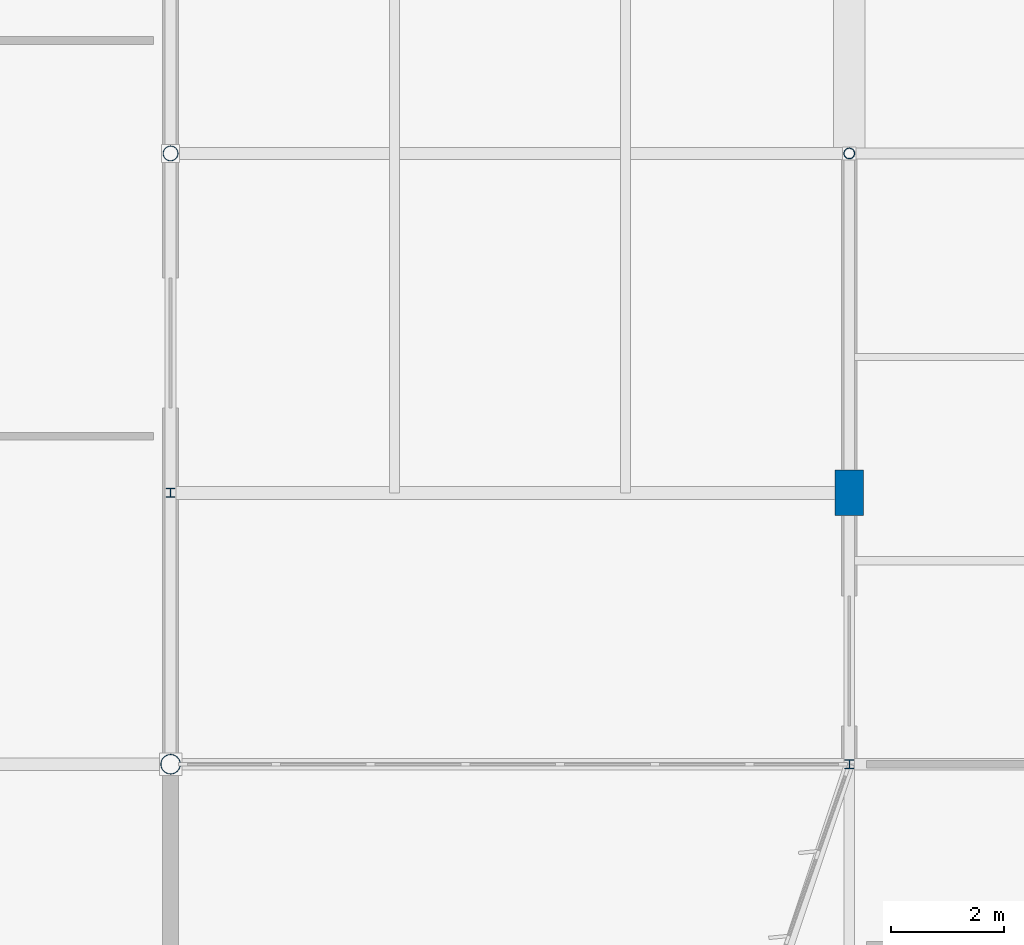
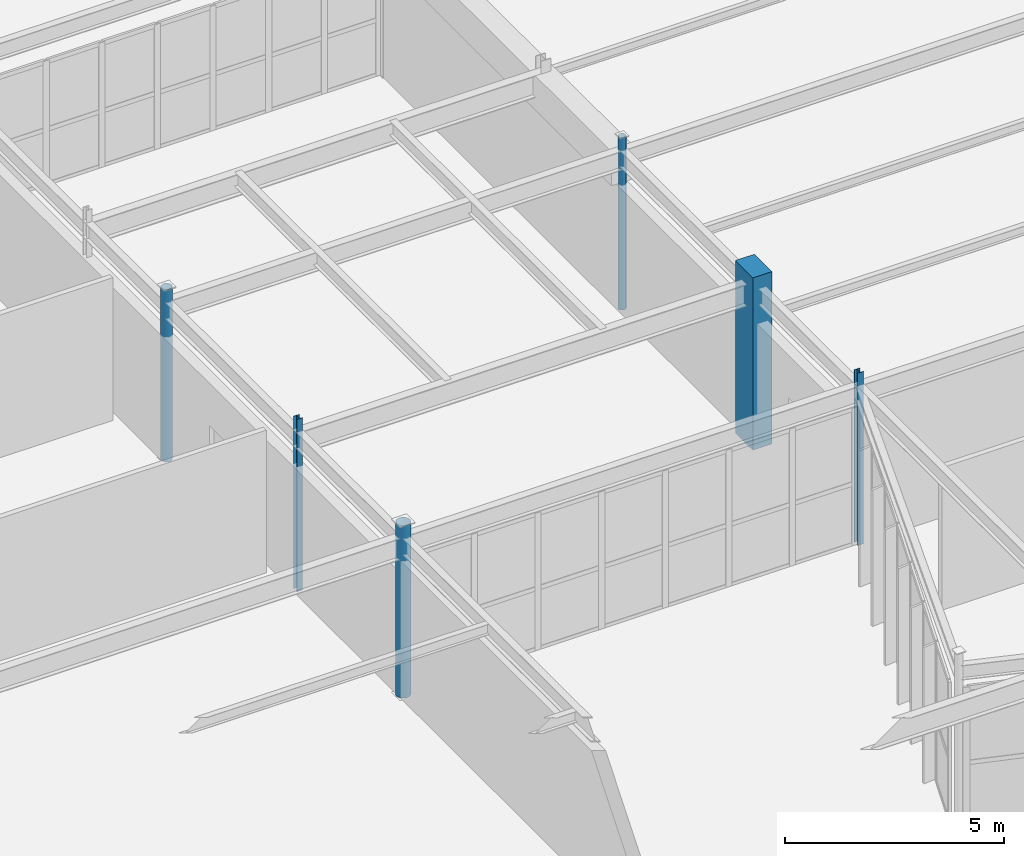
# One storey, part 55 of 199: 6 columns.
"""IFC4 building model written with IfcOpenShell, lengths in metres."""

from ifc_helpers import new_model, si_unit, direction, frame, origin, origin_2d, place, context, subcontext, project, spatial, rectangle, hollow_circle, i_section, extrude, material, material_profile, profile_set, type_object, element, save


model = new_model("IFC4")

# Units and contexts
model_context = context("Model", 3, precision=1e-05, world=origin(), true_north=direction((0.0, 1.0)))
body_context = subcontext(model_context, "Body", "Model", "MODEL_VIEW")
ifc_project = project(units=[si_unit("LENGTHUNIT", "METRE"), si_unit("AREAUNIT", "SQUARE_METRE"), si_unit("VOLUMEUNIT", "CUBIC_METRE"), si_unit("PLANEANGLEUNIT", "RADIAN"), si_unit("MASSUNIT", "GRAM", prefix="KILO")], contexts=[model_context])

# Site, building, storey
site_placement = place(None, origin())
site = spatial("IfcSite", under=ifc_project, at=site_placement, CompositionType="ELEMENT")
building_placement = place(site_placement, origin())
building = spatial("IfcBuilding", under=site, at=building_placement, Name="Tarnwether General Hospital", CompositionType="ELEMENT")
storey_placement = place(building_placement, origin())
storey = spatial("IfcBuildingStorey", under=building, at=storey_placement, Name="L00", CompositionType="ELEMENT", Elevation=0.0)

# Columns
ifc_material_1 = material(Name="Steel Grade C350L0 (350 MPa)", Category="steel")
ifc_material_profile_1 = material_profile(ifc_material_1, hollow_circle(Radius=0.177734375, WallThickness=0.0126953125, at=origin_2d()), Name="CHS355.6x12.7")
ifc_profile_set_1 = profile_set([ifc_material_profile_1], Name="Steel Grade C350L0 (350 MPa)")
column_type_1 = type_object("IfcColumnType", Name="COL-11", PredefinedType="COLUMN", material=ifc_profile_set_1)
column_1_placement = place(storey_placement, frame((132.0, 93.60009765625, 0.0), z_axis=(0.0, 0.0, 1.0), x_axis=(0.0, 1.0, 0.0)))
element("IfcColumn", 1, at=column_1_placement, inside=storey, type_object=column_type_1, Name="Column COLG-L00-13200_9360", PredefinedType="COLUMN", context=body_context, shape_type="SweptSolid", body=[
    extrude(hollow_circle(Radius=0.177734375, WallThickness=0.0126953125, at=origin_2d()), origin(), (0.0, 0.0, 1.0), 4.800048828125),
])
ifc_material_2 = material(Name="Steel Grade C350L0 (350 MPa)", Category="steel")
ifc_material_profile_2 = material_profile(ifc_material_2, hollow_circle(Radius=0.136474609375, WallThickness=0.0126953125, at=origin_2d()), Name="CHS273.1x12.7")
ifc_profile_set_2 = profile_set([ifc_material_profile_2], Name="Steel Grade C350L0 (350 MPa)")
column_type_2 = type_object("IfcColumnType", Name="COL-12", PredefinedType="COLUMN", material=ifc_profile_set_2)
column_2_placement = place(storey_placement, frame((132.0, 104.39990234375, 0.0), z_axis=(0.0, 0.0, 1.0), x_axis=(0.0, 1.0, 0.0)))
element("IfcColumn", 2, at=column_2_placement, inside=storey, type_object=column_type_2, Name="Column COLG-L00-13200_10440", PredefinedType="COLUMN", context=body_context, shape_type="SweptSolid", body=[
    extrude(hollow_circle(Radius=0.136474609375, WallThickness=0.0126953125, at=origin_2d()), origin(), (0.0, 0.0, 1.0), 4.800048828125),
])
ifc_material_3 = material(Name="Concrete 50 MPa", Category="concrete")
ifc_material_profile_3 = material_profile(ifc_material_3, rectangle(XDim=0.5, YDim=0.800048828125, at=origin_2d()), Name="RC-PIL-500x800")
ifc_profile_set_3 = profile_set([ifc_material_profile_3], Name="Concrete 50 MPa")
column_type_3 = type_object("IfcColumnType", Name="COL-23", PredefinedType="PILASTER", material=ifc_profile_set_3)
column_3_placement = place(storey_placement, frame((144.0, 98.39990234375, 0.0), z_axis=(0.0, 0.0, 1.0), x_axis=(1.0, 0.0, 0.0)))
element("IfcColumn", 3, at=column_3_placement, inside=storey, type_object=column_type_3, Name="Column COLG-L00-14400_9840", PredefinedType="PILASTER", context=body_context, shape_type="SweptSolid", body=[
    extrude(rectangle(XDim=0.5, YDim=0.800048828125, at=origin_2d()), origin(), (0.0, 0.0, 1.0), 4.800048828125),
])
ifc_material_4 = material(Name="Steel Grade 350 (350 MPa)", Category="steel")
ifc_material_profile_4 = material_profile(ifc_material_4, i_section(OverallWidth=0.154052734375, OverallDepth=0.162109375, WebThickness=0.008056640625, FlangeThickness=0.011474609375, at=origin_2d()), Name="150UC37.2")
ifc_profile_set_4 = profile_set([ifc_material_profile_4], Name="Steel Grade 350 (350 MPa)")
column_type_4 = type_object("IfcColumnType", Name="COL-28", PredefinedType="COLUMN", material=ifc_profile_set_4)
column_4_placement = place(storey_placement, frame((144.0, 93.60009765625, 0.0), z_axis=(0.0, 0.0, 1.0), x_axis=(1.0, 0.0, 0.0)))
element("IfcColumn", 4, at=column_4_placement, inside=storey, type_object=column_type_4, Name="Column COLG-L00-14400_9360", PredefinedType="COLUMN", context=body_context, shape_type="SweptSolid", body=[
    extrude(i_section(OverallWidth=0.154052734375, OverallDepth=0.162109375, WebThickness=0.008056640625, FlangeThickness=0.011474609375, at=origin_2d()), origin(), (0.0, 0.0, 1.0), 4.800048828125),
])
ifc_material_5 = material(Name="Steel Grade C350L0 (350 MPa)", Category="steel")
ifc_material_profile_5 = material_profile(ifc_material_5, hollow_circle(Radius=0.096923828125, WallThickness=0.008056640625, at=origin_2d()), Name="CHS193.7x8.0")
ifc_profile_set_5 = profile_set([ifc_material_profile_5], Name="Steel Grade C350L0 (350 MPa)")
column_type_5 = type_object("IfcColumnType", Name="COL-29", PredefinedType="COLUMN", material=ifc_profile_set_5)
column_5_placement = place(storey_placement, frame((144.0, 104.39990234375, 0.0), z_axis=(0.0, 0.0, 1.0), x_axis=(1.0, 0.0, 0.0)))
element("IfcColumn", 5, at=column_5_placement, inside=storey, type_object=column_type_5, Name="Column COLG-L00-14400_10440", PredefinedType="COLUMN", context=body_context, shape_type="SweptSolid", body=[
    extrude(hollow_circle(Radius=0.096923828125, WallThickness=0.008056640625, at=origin_2d()), origin(), (0.0, 0.0, 1.0), 4.800048828125),
])
ifc_material_6 = material(Name="Steel Grade 350 (350 MPa)", Category="steel")
ifc_material_profile_6 = material_profile(ifc_material_6, i_section(OverallWidth=0.153076171875, OverallDepth=0.157958984375, WebThickness=0.006591796875, FlangeThickness=0.009521484375, at=origin_2d()), Name="150UC30.0")
ifc_profile_set_6 = profile_set([ifc_material_profile_6], Name="Steel Grade 350 (350 MPa)")
column_type_6 = type_object("IfcColumnType", Name="COL-31", PredefinedType="COLUMN", material=ifc_profile_set_6)
column_6_placement = place(storey_placement, frame((132.0, 98.39990234375, 0.0), z_axis=(0.0, 0.0, 1.0), x_axis=(1.0, 0.0, 0.0)))
element("IfcColumn", 6, at=column_6_placement, inside=storey, type_object=column_type_6, Name="Column COLG-L00-13200_9840", PredefinedType="COLUMN", context=body_context, shape_type="SweptSolid", body=[
    extrude(i_section(OverallWidth=0.153076171875, OverallDepth=0.157958984375, WebThickness=0.006591796875, FlangeThickness=0.009521484375, at=origin_2d()), origin(), (0.0, 0.0, 1.0), 4.800048828125),
])

save(model, "model.ifc")
